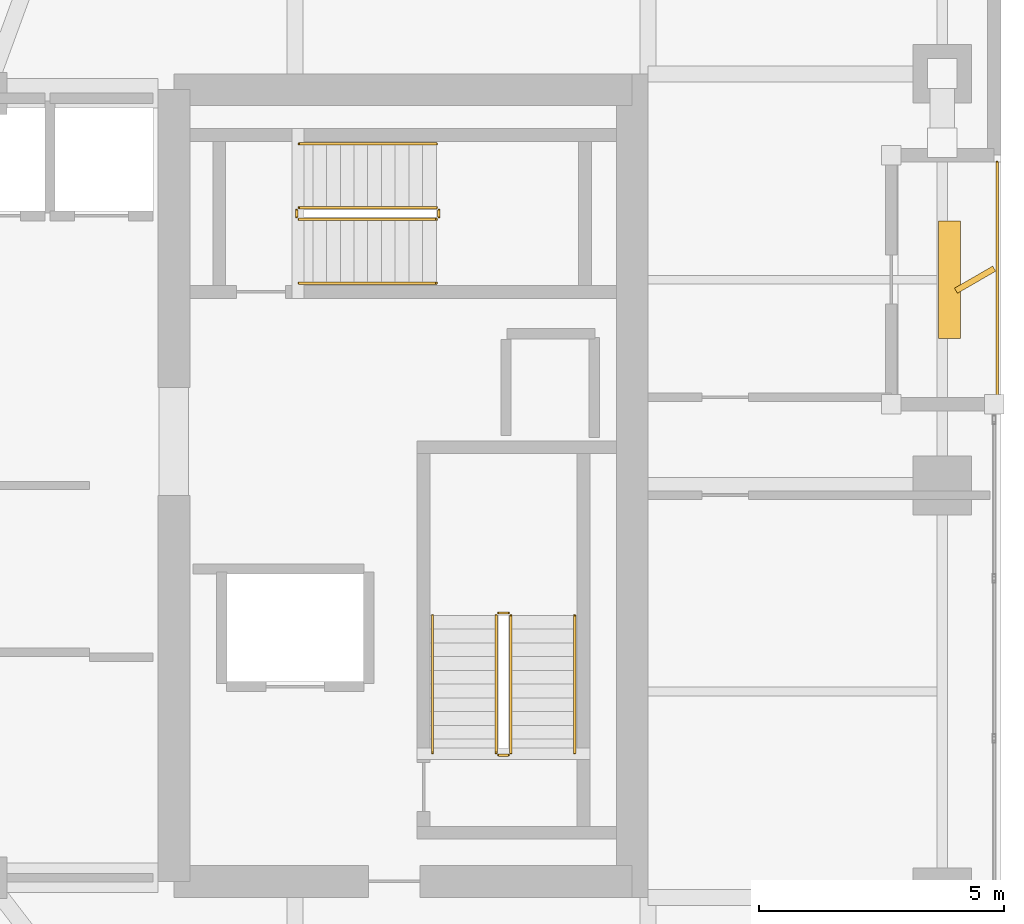
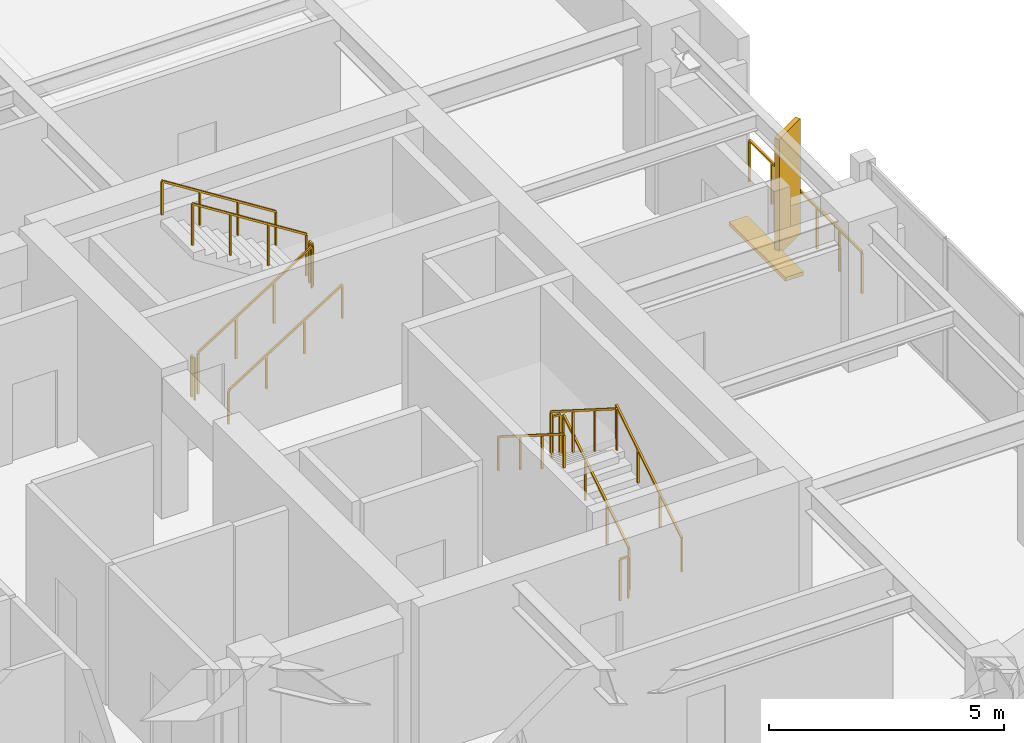
# One storey, part 29 of 30: 13 railings, 2 shading devices.
"""IFC4 building model written with IfcOpenShell, lengths in metres."""

from ifc_helpers import new_model, si_unit, direction, frame, origin, origin_2d, place, context, subcontext, project, spatial, rectangle, extrude, material, type_object, element, save


model = new_model("IFC4")

# Units and contexts
model_context = context("Model", 3, precision=1e-05, world=origin(), true_north=direction((0.0, 1.0)))
body_context = subcontext(model_context, "Body", "Model", "MODEL_VIEW")
ifc_project = project(units=[si_unit("LENGTHUNIT", "METRE"), si_unit("AREAUNIT", "SQUARE_METRE"), si_unit("VOLUMEUNIT", "CUBIC_METRE"), si_unit("PLANEANGLEUNIT", "RADIAN"), si_unit("MASSUNIT", "GRAM", prefix="KILO")], contexts=[model_context])

# Site, building, storey
site_placement = place(None, origin())
site = spatial("IfcSite", under=ifc_project, at=site_placement, CompositionType="ELEMENT")
building_placement = place(site_placement, origin())
building = spatial("IfcBuilding", under=site, at=building_placement, Name="Kiyonajd Concourse Tower", CompositionType="ELEMENT")
storey_placement = place(building_placement, frame((0.0, 0.0, 190.199951171875)))
storey = spatial("IfcBuildingStorey", under=building, at=storey_placement, Name="L48", CompositionType="ELEMENT", Elevation=190.199951171875)

# Railings
ifc_material_1 = material(Name="Thermally Broken Anodised Aluminium", Category="aluminium")
railing_type_1 = type_object("IfcRailingType", Name="RL-GRD-LOG", PredefinedType="GUARDRAIL", material=ifc_material_1)
railing_1_placement = place(storey_placement, frame((70.719970703125, 37.800048828125, 0.0)))
element("IfcRailing", 1, at=railing_1_placement, inside=storey, type_object=railing_type_1, Name="L48 Engawa Loggia Perimeter Guard LOG-E", PredefinedType="GUARDRAIL", context=body_context, shape_type="SweptSolid", body=[
    extrude(rectangle(XDim=0.048095703125, YDim=0.048095703125, at=origin_2d()), frame((0.0, 0.0, 1.076171875), z_axis=(0.0, 1.0, 0.0), x_axis=(-1.0, 0.0, 0.0)), (0.0, 0.0, 1.0), 4.800048828125),
    extrude(rectangle(XDim=0.0419921875, YDim=0.0419921875, at=origin_2d()), origin(), (0.0, 0.0, 1.0), 1.052001953125),
    extrude(rectangle(XDim=0.0419921875, YDim=0.0419921875, at=origin_2d()), frame((0.0, 0.9599609375, 0.0)), (0.0, 0.0, 1.0), 1.052001953125),
    extrude(rectangle(XDim=0.0419921875, YDim=0.0419921875, at=origin_2d()), frame((0.0, 1.919921875, 0.0)), (0.0, 0.0, 1.0), 1.052001953125),
    extrude(rectangle(XDim=0.0419921875, YDim=0.0419921875, at=origin_2d()), frame((0.0, 2.880126953125, 0.0)), (0.0, 0.0, 1.0), 1.052001953125),
    extrude(rectangle(XDim=0.0419921875, YDim=0.0419921875, at=origin_2d()), frame((0.0, 3.840087890625, 0.0)), (0.0, 0.0, 1.0), 1.052001953125),
    extrude(rectangle(XDim=0.0419921875, YDim=0.0419921875, at=origin_2d()), frame((0.0, 4.800048828125, 0.0)), (0.0, 0.0, 1.0), 1.052001953125),
])
ifc_material_2 = material(Name="Steel ASTM A500 Grade C", Category="steel")
railing_type_2 = type_object("IfcRailingType", Name="RL-GRD-STR", PredefinedType="GUARDRAIL", material=ifc_material_2)
railing_2_placement = place(storey_placement, frame((60.800048828125, 30.550048828125, 0.17724609375)))
element("IfcRailing", 2, at=railing_2_placement, inside=storey, type_object=railing_type_2, Name="L48 ST2 stair guard 1", PredefinedType="GUARDRAIL", context=body_context, shape_type="SweptSolid", body=[
    extrude(rectangle(XDim=0.048095703125, YDim=0.048095703125, at=origin_2d()), frame((0.0, 0.0, 1.076171875), z_axis=(0.0, 0.844908973607, 0.534910110503), x_axis=(-1.0, 0.0, 0.0)), (0.0, 0.0, 1.0), 3.31396484375),
    extrude(rectangle(XDim=0.0419921875, YDim=0.0419921875, at=origin_2d()), origin(), (0.0, 0.0, 1.0), 1.052001953125),
    extrude(rectangle(XDim=0.0419921875, YDim=0.0419921875, at=origin_2d()), frame((0.0, 0.933349609375, 0.5908203125)), (0.0, 0.0, 1.0), 1.052001953125),
    extrude(rectangle(XDim=0.0419921875, YDim=0.0419921875, at=origin_2d()), frame((0.0, 1.86669921875, 1.181884765625)), (0.0, 0.0, 1.0), 1.052001953125),
    extrude(rectangle(XDim=0.0419921875, YDim=0.0419921875, at=origin_2d()), frame((0.0, 2.800048828125, 1.772705078125)), (0.0, 0.0, 1.0), 1.052001953125),
])
railing_3_placement = place(storey_placement, frame((60.75, 33.39990234375, 1.949951171875)))
element("IfcRailing", 3, at=railing_3_placement, inside=storey, type_object=railing_type_2, Name="L48 ST2 stair guard 2", PredefinedType="GUARDRAIL", context=body_context, shape_type="SweptSolid", body=[
    extrude(rectangle(XDim=0.048095703125, YDim=0.048095703125, at=origin_2d()), frame((0.0, 0.0, 1.076171875), z_axis=(-1.0, 0.0, 0.0), x_axis=(0.0, -1.0, 0.0)), (0.0, 0.0, 1.0), 0.199951171875),
    extrude(rectangle(XDim=0.0419921875, YDim=0.0419921875, at=origin_2d()), origin(), (0.0, 0.0, 1.0), 1.052001953125),
    extrude(rectangle(XDim=0.0419921875, YDim=0.0419921875, at=origin_2d()), frame((-0.199951171875, 0.0, 0.0)), (0.0, 0.0, 1.0), 1.052001953125),
])
railing_4_placement = place(storey_placement, frame((60.5, 33.35009765625, 2.12744140625)))
element("IfcRailing", 4, at=railing_4_placement, inside=storey, type_object=railing_type_2, Name="L48 ST2 stair guard 3", PredefinedType="GUARDRAIL", context=body_context, shape_type="SweptSolid", body=[
    extrude(rectangle(XDim=0.048095703125, YDim=0.048095703125, at=origin_2d()), frame((0.0, 0.0, 1.076171875), z_axis=(0.0, -0.844908973607, 0.534910110503), x_axis=(1.0, 0.0, 0.0)), (0.0, 0.0, 1.0), 3.31396484375),
    extrude(rectangle(XDim=0.0419921875, YDim=0.0419921875, at=origin_2d()), origin(), (0.0, 0.0, 1.0), 1.052001953125),
    extrude(rectangle(XDim=0.0419921875, YDim=0.0419921875, at=origin_2d()), frame((0.0, -0.933349609375, 0.5908203125)), (0.0, 0.0, 1.0), 1.052001953125),
    extrude(rectangle(XDim=0.0419921875, YDim=0.0419921875, at=origin_2d()), frame((0.0, -1.86669921875, 1.181884765625)), (0.0, 0.0, 1.0), 1.052001953125),
    extrude(rectangle(XDim=0.0419921875, YDim=0.0419921875, at=origin_2d()), frame((0.0, -2.800048828125, 1.772705078125)), (0.0, 0.0, 1.0), 1.052001953125),
])
railing_5_placement = place(storey_placement, frame((60.75, 30.5, 0.0)))
element("IfcRailing", 5, at=railing_5_placement, inside=storey, type_object=railing_type_2, Name="L48 ST2 stair guard 4", PredefinedType="GUARDRAIL", context=body_context, shape_type="SweptSolid", body=[
    extrude(rectangle(XDim=0.048095703125, YDim=0.048095703125, at=origin_2d()), frame((0.0, 0.0, 1.076171875), z_axis=(-1.0, 0.0, 0.0), x_axis=(0.0, -1.0, 0.0)), (0.0, 0.0, 1.0), 0.199951171875),
    extrude(rectangle(XDim=0.0419921875, YDim=0.0419921875, at=origin_2d()), origin(), (0.0, 0.0, 1.0), 1.052001953125),
    extrude(rectangle(XDim=0.0419921875, YDim=0.0419921875, at=origin_2d()), frame((-0.199951171875, 0.0, 0.0)), (0.0, 0.0, 1.0), 1.052001953125),
])
railing_6_placement = place(storey_placement, frame((56.47998046875, 41.429931640625, 0.17724609375)))
element("IfcRailing", 6, at=railing_6_placement, inside=storey, type_object=railing_type_2, Name="L48 ST3 stair guard 1", PredefinedType="GUARDRAIL", context=body_context, shape_type="SweptSolid", body=[
    extrude(rectangle(XDim=0.048095703125, YDim=0.048095703125, at=origin_2d()), frame((0.0, 0.0, 1.076171875), z_axis=(0.844908973607, 0.0, 0.534910110503), x_axis=(0.0, 1.0, 0.0)), (0.0, 0.0, 1.0), 3.31396484375),
    extrude(rectangle(XDim=0.0419921875, YDim=0.0419921875, at=origin_2d()), origin(), (0.0, 0.0, 1.0), 1.052001953125),
    extrude(rectangle(XDim=0.0419921875, YDim=0.0419921875, at=origin_2d()), frame((0.933349609375, 0.0, 0.5908203125)), (0.0, 0.0, 1.0), 1.052001953125),
    extrude(rectangle(XDim=0.0419921875, YDim=0.0419921875, at=origin_2d()), frame((1.86669921875, 0.0, 1.181884765625)), (0.0, 0.0, 1.0), 1.052001953125),
    extrude(rectangle(XDim=0.0419921875, YDim=0.0419921875, at=origin_2d()), frame((2.800048828125, 0.0, 1.772705078125)), (0.0, 0.0, 1.0), 1.052001953125),
])
railing_7_placement = place(storey_placement, frame((59.330078125, 41.47998046875, 1.949951171875)))
element("IfcRailing", 7, at=railing_7_placement, inside=storey, type_object=railing_type_2, Name="L48 ST3 stair guard 2", PredefinedType="GUARDRAIL", context=body_context, shape_type="SweptSolid", body=[
    extrude(rectangle(XDim=0.048095703125, YDim=0.048095703125, at=origin_2d()), frame((0.0, 0.0, 1.076171875), z_axis=(0.0, 1.0, 0.0), x_axis=(-1.0, 0.0, 0.0)), (0.0, 0.0, 1.0), 0.14013671875),
    extrude(rectangle(XDim=0.0419921875, YDim=0.0419921875, at=origin_2d()), origin(), (0.0, 0.0, 1.0), 1.052001953125),
    extrude(rectangle(XDim=0.0419921875, YDim=0.0419921875, at=origin_2d()), frame((0.0, 0.14013671875, 0.0)), (0.0, 0.0, 1.0), 1.052001953125),
])
railing_8_placement = place(storey_placement, frame((59.280029296875, 41.669921875, 2.12744140625)))
element("IfcRailing", 8, at=railing_8_placement, inside=storey, type_object=railing_type_2, Name="L48 ST3 stair guard 3", PredefinedType="GUARDRAIL", context=body_context, shape_type="SweptSolid", body=[
    extrude(rectangle(XDim=0.048095703125, YDim=0.048095703125, at=origin_2d()), frame((0.0, 0.0, 1.076171875), z_axis=(-0.844908973607, 0.0, 0.534910110503), x_axis=(0.0, -1.0, 0.0)), (0.0, 0.0, 1.0), 3.31396484375),
    extrude(rectangle(XDim=0.0419921875, YDim=0.0419921875, at=origin_2d()), origin(), (0.0, 0.0, 1.0), 1.052001953125),
    extrude(rectangle(XDim=0.0419921875, YDim=0.0419921875, at=origin_2d()), frame((-0.933349609375, 0.0, 0.5908203125)), (0.0, 0.0, 1.0), 1.052001953125),
    extrude(rectangle(XDim=0.0419921875, YDim=0.0419921875, at=origin_2d()), frame((-1.86669921875, 0.0, 1.181884765625)), (0.0, 0.0, 1.0), 1.052001953125),
    extrude(rectangle(XDim=0.0419921875, YDim=0.0419921875, at=origin_2d()), frame((-2.800048828125, 0.0, 1.772705078125)), (0.0, 0.0, 1.0), 1.052001953125),
])
railing_9_placement = place(storey_placement, frame((56.429931640625, 41.47998046875, 0.0)))
element("IfcRailing", 9, at=railing_9_placement, inside=storey, type_object=railing_type_2, Name="L48 ST3 stair guard 4", PredefinedType="GUARDRAIL", context=body_context, shape_type="SweptSolid", body=[
    extrude(rectangle(XDim=0.048095703125, YDim=0.048095703125, at=origin_2d()), frame((0.0, 0.0, 1.076171875), z_axis=(0.0, 1.0, 0.0), x_axis=(-1.0, 0.0, 0.0)), (0.0, 0.0, 1.0), 0.14013671875),
    extrude(rectangle(XDim=0.0419921875, YDim=0.0419921875, at=origin_2d()), origin(), (0.0, 0.0, 1.0), 1.052001953125),
    extrude(rectangle(XDim=0.0419921875, YDim=0.0419921875, at=origin_2d()), frame((0.0, 0.14013671875, 0.0)), (0.0, 0.0, 1.0), 1.052001953125),
])
ifc_material_3 = material(Name="Brushed Stainless Steel Cab Assembly", Category="steel")
railing_type_3 = type_object("IfcRailingType", Name="RL-HND-900", PredefinedType="HANDRAIL", material=ifc_material_3)
railing_10_placement = place(storey_placement, frame((62.10009765625, 30.550048828125, 0.17724609375)))
element("IfcRailing", 10, at=railing_10_placement, inside=storey, type_object=railing_type_3, Name="L48 ST2 stair handrail 1", PredefinedType="HANDRAIL", context=body_context, shape_type="SweptSolid", body=[
    extrude(rectangle(XDim=0.048095703125, YDim=0.048095703125, at=origin_2d()), frame((0.0, 0.0, 0.8759765625), z_axis=(0.0, 0.844908973607, 0.534910110503), x_axis=(-1.0, 0.0, 0.0)), (0.0, 0.0, 1.0), 3.31396484375),
    extrude(rectangle(XDim=0.0419921875, YDim=0.0419921875, at=origin_2d()), origin(), (0.0, 0.0, 1.0), 0.851806640625),
    extrude(rectangle(XDim=0.0419921875, YDim=0.0419921875, at=origin_2d()), frame((0.0, 0.933349609375, 0.5908203125)), (0.0, 0.0, 1.0), 0.851806640625),
    extrude(rectangle(XDim=0.0419921875, YDim=0.0419921875, at=origin_2d()), frame((0.0, 1.86669921875, 1.181884765625)), (0.0, 0.0, 1.0), 0.851806640625),
    extrude(rectangle(XDim=0.0419921875, YDim=0.0419921875, at=origin_2d()), frame((0.0, 2.800048828125, 1.772705078125)), (0.0, 0.0, 1.0), 0.851806640625),
])
railing_11_placement = place(storey_placement, frame((59.199951171875, 33.35009765625, 2.12744140625)))
element("IfcRailing", 11, at=railing_11_placement, inside=storey, type_object=railing_type_3, Name="L48 ST2 stair handrail 2", PredefinedType="HANDRAIL", context=body_context, shape_type="SweptSolid", body=[
    extrude(rectangle(XDim=0.048095703125, YDim=0.048095703125, at=origin_2d()), frame((0.0, 0.0, 0.8759765625), z_axis=(0.0, -0.844908973607, 0.534910110503), x_axis=(1.0, 0.0, 0.0)), (0.0, 0.0, 1.0), 3.31396484375),
    extrude(rectangle(XDim=0.0419921875, YDim=0.0419921875, at=origin_2d()), origin(), (0.0, 0.0, 1.0), 0.851806640625),
    extrude(rectangle(XDim=0.0419921875, YDim=0.0419921875, at=origin_2d()), frame((0.0, -0.933349609375, 0.5908203125)), (0.0, 0.0, 1.0), 0.851806640625),
    extrude(rectangle(XDim=0.0419921875, YDim=0.0419921875, at=origin_2d()), frame((0.0, -1.86669921875, 1.181884765625)), (0.0, 0.0, 1.0), 0.851806640625),
    extrude(rectangle(XDim=0.0419921875, YDim=0.0419921875, at=origin_2d()), frame((0.0, -2.800048828125, 1.772705078125)), (0.0, 0.0, 1.0), 0.851806640625),
])
railing_12_placement = place(storey_placement, frame((56.47998046875, 40.1298828125, 0.17724609375)))
element("IfcRailing", 12, at=railing_12_placement, inside=storey, type_object=railing_type_3, Name="L48 ST3 stair handrail 1", PredefinedType="HANDRAIL", context=body_context, shape_type="SweptSolid", body=[
    extrude(rectangle(XDim=0.048095703125, YDim=0.048095703125, at=origin_2d()), frame((0.0, 0.0, 0.8759765625), z_axis=(0.844908973607, 0.0, 0.534910110503), x_axis=(0.0, 1.0, 0.0)), (0.0, 0.0, 1.0), 3.31396484375),
    extrude(rectangle(XDim=0.0419921875, YDim=0.0419921875, at=origin_2d()), origin(), (0.0, 0.0, 1.0), 0.851806640625),
    extrude(rectangle(XDim=0.0419921875, YDim=0.0419921875, at=origin_2d()), frame((0.933349609375, 0.0, 0.5908203125)), (0.0, 0.0, 1.0), 0.851806640625),
    extrude(rectangle(XDim=0.0419921875, YDim=0.0419921875, at=origin_2d()), frame((1.86669921875, 0.0, 1.181884765625)), (0.0, 0.0, 1.0), 0.851806640625),
    extrude(rectangle(XDim=0.0419921875, YDim=0.0419921875, at=origin_2d()), frame((2.800048828125, 0.0, 1.772705078125)), (0.0, 0.0, 1.0), 0.851806640625),
])
railing_13_placement = place(storey_placement, frame((59.280029296875, 42.969970703125, 2.12744140625)))
element("IfcRailing", 13, at=railing_13_placement, inside=storey, type_object=railing_type_3, Name="L48 ST3 stair handrail 2", PredefinedType="HANDRAIL", context=body_context, shape_type="SweptSolid", body=[
    extrude(rectangle(XDim=0.048095703125, YDim=0.048095703125, at=origin_2d()), frame((0.0, 0.0, 0.8759765625), z_axis=(-0.844908973607, 0.0, 0.534910110503), x_axis=(0.0, -1.0, 0.0)), (0.0, 0.0, 1.0), 3.31396484375),
    extrude(rectangle(XDim=0.0419921875, YDim=0.0419921875, at=origin_2d()), origin(), (0.0, 0.0, 1.0), 0.851806640625),
    extrude(rectangle(XDim=0.0419921875, YDim=0.0419921875, at=origin_2d()), frame((-0.933349609375, 0.0, 0.5908203125)), (0.0, 0.0, 1.0), 0.851806640625),
    extrude(rectangle(XDim=0.0419921875, YDim=0.0419921875, at=origin_2d()), frame((-1.86669921875, 0.0, 1.181884765625)), (0.0, 0.0, 1.0), 0.851806640625),
    extrude(rectangle(XDim=0.0419921875, YDim=0.0419921875, at=origin_2d()), frame((-2.800048828125, 0.0, 1.772705078125)), (0.0, 0.0, 1.0), 0.851806640625),
])

# Shading devices
ifc_material_4 = material(Name="Precast concrete C50/60", Category="concrete")
shading_device_type_1 = type_object("IfcShadingDeviceType", Name="SH-FIN-900", PredefinedType="USERDEFINED", material=ifc_material_4)
shading_device_1_placement = place(storey_placement, frame((70.27001953125, 40.199951171875, 0.0), z_axis=(0.0, 0.0, 1.0), x_axis=(0.866025403784, 0.5, 0.0)))
element("IfcShadingDevice", 14, at=shading_device_1_placement, inside=storey, type_object=shading_device_type_1, Name="L48 Angled Koshi Solar Fin LOG-E", ObjectType="FIN", PredefinedType="USERDEFINED", context=body_context, shape_type="SweptSolid", body=[
    extrude(rectangle(XDim=0.89990234375, YDim=0.1201171875, at=origin_2d()), origin(), (0.0, 0.0, 1.0), 3.0),
])
shading_device_type_2 = type_object("IfcShadingDeviceType", Name="SH-LVR-600", PredefinedType="JALOUSIE", material=ifc_material_1)
shading_device_2_placement = place(storey_placement, frame((69.75, 40.199951171875, 0.0), z_axis=(0.0, 0.0, 1.0), x_axis=(0.0, 1.0, 0.0)))
element("IfcShadingDevice", 15, at=shading_device_2_placement, inside=storey, type_object=shading_device_type_2, Name="L48 Loggia Threshold Louver LOG-E", PredefinedType="JALOUSIE", context=body_context, shape_type="SweptSolid", body=[
    extrude(rectangle(XDim=2.39990234375, YDim=0.449951171875, at=origin_2d()), origin(), (0.0, 0.0, 1.0), 0.10009765625),
])

save(model, "model.ifc")
